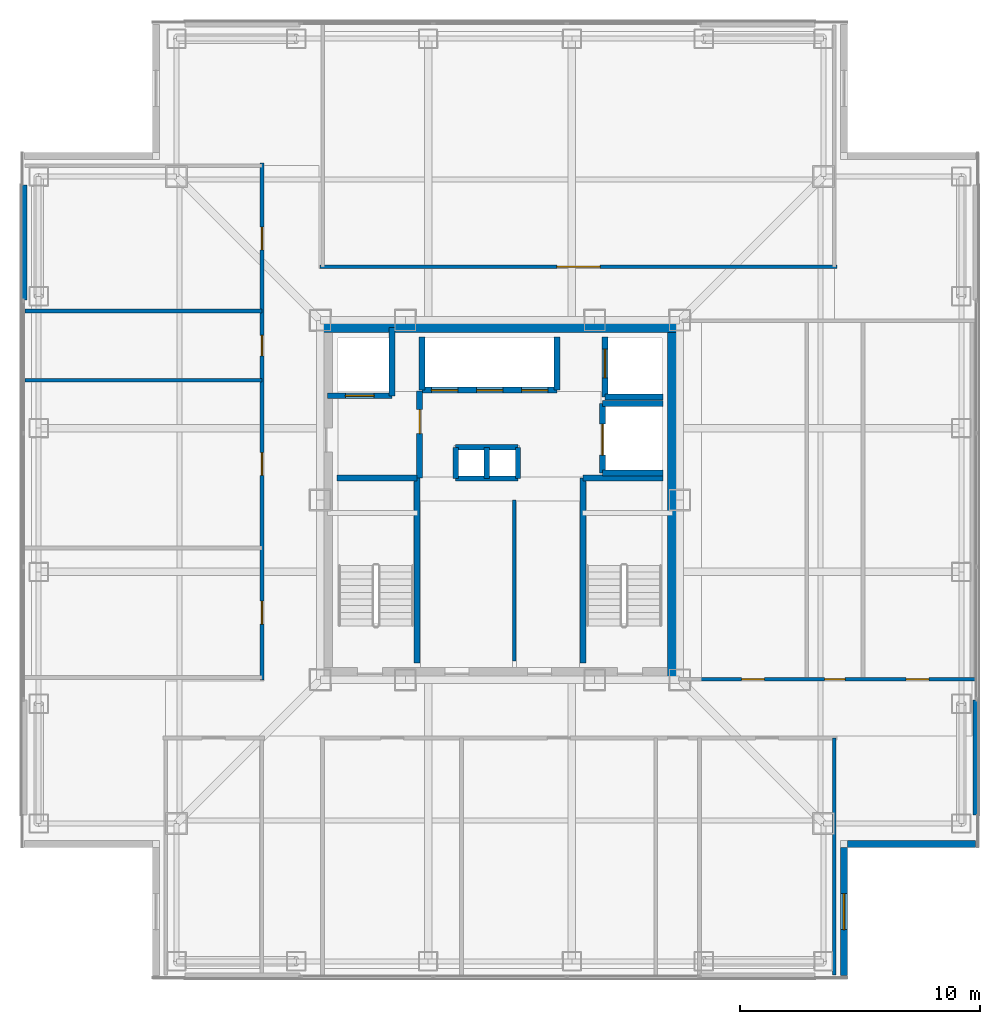
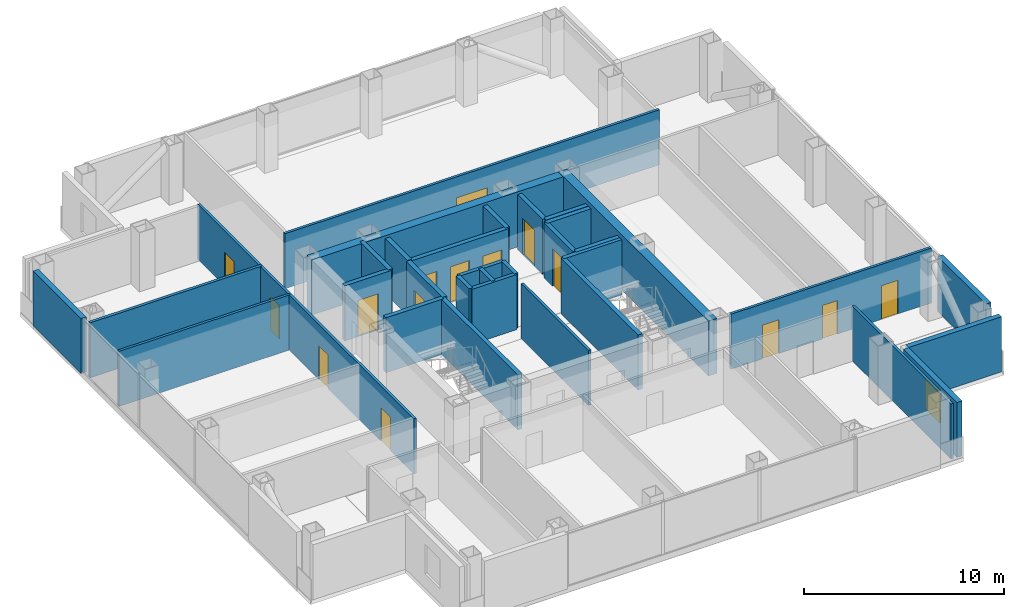
# One storey, part 10 of 17: 33 walls, 15 doors, 1 window, 16 openings.
"""IFC4 building model written with IfcOpenShell, lengths in metres."""

from ifc_helpers import new_model, si_unit, direction, frame, frame_2d, origin, place, context, subcontext, project, spatial, rectangle, extrude, material, layer, layer_set, type_object, element, fill, save


model = new_model("IFC4")

# Units and contexts
model_context = context("Model", 3, precision=1e-05, world=origin(), true_north=direction((0.0, 1.0)))
body_context = subcontext(model_context, "Body", "Model", "MODEL_VIEW")
ifc_project = project(units=[si_unit("LENGTHUNIT", "METRE"), si_unit("AREAUNIT", "SQUARE_METRE"), si_unit("VOLUMEUNIT", "CUBIC_METRE"), si_unit("PLANEANGLEUNIT", "RADIAN"), si_unit("MASSUNIT", "GRAM", prefix="KILO")], contexts=[model_context])

# Site, building, storey
site_placement = place(None, origin())
site = spatial("IfcSite", under=ifc_project, at=site_placement, CompositionType="ELEMENT")
building_placement = place(site_placement, origin())
building = spatial("IfcBuilding", under=site, at=building_placement, Name="Trevonay Congress Spire", CompositionType="ELEMENT")
storey_placement = place(building_placement, frame((0.0, 0.0, 213.0)))
storey = spatial("IfcBuildingStorey", under=building, at=storey_placement, Name="L55", CompositionType="ELEMENT", Elevation=213.0)

# Walls
ifc_material_1 = material(Name="Concrete C50/60", Category="concrete")
ifc_layer_1 = layer(ifc_material_1, 0.5, Name="Concrete C50/60")
ifc_layer_set_1 = layer_set([ifc_layer_1], Name="Concrete C50/60")
wall_type_1 = type_object("IfcWallType", Name="WAL-CORE-500", PredefinedType="SHEAR", material=ifc_layer_set_1)
for number, where, z_axis, x_axis, name in (
    (1, (-7.5, 7.25, 0.0), (0.0, 0.0, 1.0), (1.0, 0.0, 0.0), "L55 North structural core shear wall"),
    (2, (7.25, -7.5, 0.0), (0.0, 0.0, 1.0), (0.0, 1.0, 0.0), "L55 East structural core shear wall"),
):
    element("IfcWall", number, at=place(storey_placement, frame(where, z_axis=z_axis, x_axis=x_axis)), inside=storey, type_object=wall_type_1, Name=name, PredefinedType="SHEAR", context=body_context, shape_type="SweptSolid", body=[
        extrude(rectangle(XDim=15.0, YDim=0.5, at=frame_2d((7.5, 0.0))), origin(), (0.0, 0.0, 1.0), 3.360107421875),
    ])

# Wall, openings, doors
ifc_material_2 = material(Name="Concrete C40/50", Category="concrete")
ifc_layer_2 = layer(ifc_material_2, 0.14990234375, Name="Concrete C40/50")
ifc_layer_set_2 = layer_set([ifc_layer_2], Name="Concrete C40/50")
wall_type_2 = type_object("IfcWallType", Name="WAL-CORR-150", PredefinedType="PARTITIONING", material=ifc_layer_set_2)
wall_1_placement = place(storey_placement, frame((-9.929931640625, -7.52001953125, 0.0), z_axis=(0.0, 0.0, 1.0), x_axis=(0.0, 1.0, 0.0)))
wall_1 = element("IfcWall", 3, at=wall_1_placement, inside=storey, type_object=wall_type_2, Name="L55 interior wall WP-L55NW-COR", PredefinedType="PARTITIONING", context=body_context, shape_type="SweptSolid", body=[
    extrude(rectangle(XDim=21.590087890625, YDim=0.14990234375, at=frame_2d((10.794921875, 0.0))), origin(), (0.0, 0.0, 1.0), 3.360107421875),
])
opening_1_placement = place(wall_1_placement, frame((2.344970703125, 0.0, 0.0)))
opening_1 = element("IfcOpeningElement", 4, at=opening_1_placement, cuts=wall_1, Name="Opening D07", PredefinedType="OPENING", context=body_context, shape_type="SweptSolid", body=[
    extrude(rectangle(XDim=0.949951171875, YDim=2.06005859375, at=frame_2d((0.47509765625, 1.030029296875))), frame((0.0, 0.0849609375, 0.0), z_axis=(0.0, -1.0, 0.0), x_axis=(1.0, 0.0, 0.0)), (0.0, 0.0, 1.0), 0.169921875),
])
opening_2_placement = place(wall_1_placement, frame((8.544921875, 0.0, 0.0)))
opening_2 = element("IfcOpeningElement", 5, at=opening_2_placement, cuts=wall_1, Name="Opening D07", PredefinedType="OPENING", context=body_context, shape_type="SweptSolid", body=[
    extrude(rectangle(XDim=0.949951171875, YDim=2.06005859375, at=frame_2d((0.47509765625, 1.030029296875))), frame((0.0, 0.0849609375, 0.0), z_axis=(0.0, -1.0, 0.0), x_axis=(1.0, 0.0, 0.0)), (0.0, 0.0, 1.0), 0.169921875),
])
opening_3_placement = place(wall_1_placement, frame((13.534912109375, 0.0, 0.0)))
opening_3 = element("IfcOpeningElement", 6, at=opening_3_placement, cuts=wall_1, Name="Opening D10", PredefinedType="OPENING", context=body_context, shape_type="SweptSolid", body=[
    extrude(rectangle(XDim=0.85009765625, YDim=2.050048828125, at=frame_2d((0.425048828125, 1.02490234375))), frame((0.0, 0.0849609375, 0.0), z_axis=(0.0, -1.0, 0.0), x_axis=(1.0, 0.0, 0.0)), (0.0, 0.0, 1.0), 0.169921875),
])
opening_4_placement = place(wall_1_placement, frame((17.9599609375, 0.0, 0.0)))
opening_4 = element("IfcOpeningElement", 7, at=opening_4_placement, cuts=wall_1, Name="Opening D07", PredefinedType="OPENING", context=body_context, shape_type="SweptSolid", body=[
    extrude(rectangle(XDim=0.949951171875, YDim=2.06005859375, at=frame_2d((0.47509765625, 1.030029296875))), frame((0.0, 0.0849609375, 0.0), z_axis=(0.0, -1.0, 0.0), x_axis=(1.0, 0.0, 0.0)), (0.0, 0.0, 1.0), 0.169921875),
])
ifc_material_3 = material(Name="Pale Anodised Aluminium EN AW-6063-T6", Category="aluminium")
door_type_1 = type_object("IfcDoorType", Name="DOR-OFFICE-95", OperationType="NOTDEFINED", PredefinedType="DOOR", material=ifc_material_3)
door_1_placement = place(opening_1_placement, origin())
door_1 = element("IfcDoor", 8, at=door_1_placement, inside=storey, type_object=door_type_1, Name="L55 Client Briefing Room Door", OperationType="SINGLE_SWING_LEFT", OverallHeight=2.06005859375, OverallWidth=0.949951171875, PredefinedType="DOOR", context=body_context, shape_type="SweptSolid", body=[
    extrude(rectangle(XDim=0.949951171875, YDim=2.06005859375, at=frame_2d((0.47509765625, 1.030029296875))), frame((0.0, 0.02490234375, 0.0), z_axis=(0.0, -1.0, 0.0), x_axis=(1.0, 0.0, 0.0)), (0.0, 0.0, 1.0), 0.050048828125),
])
fill(opening_1, door_1)
door_2_placement = place(opening_2_placement, origin())
door_2 = element("IfcDoor", 9, at=door_2_placement, inside=storey, type_object=door_type_1, Name="L55 Investor Relations Office Door", OperationType="SINGLE_SWING_RIGHT", OverallHeight=2.06005859375, OverallWidth=0.949951171875, PredefinedType="DOOR", context=body_context, shape_type="SweptSolid", body=[
    extrude(rectangle(XDim=0.949951171875, YDim=2.06005859375, at=frame_2d((0.47509765625, 1.030029296875))), frame((0.0, 0.02490234375, 0.0), z_axis=(0.0, -1.0, 0.0), x_axis=(1.0, 0.0, 0.0)), (0.0, 0.0, 1.0), 0.050048828125),
])
fill(opening_2, door_2)
door_3_placement = place(opening_4_placement, origin())
door_3 = element("IfcDoor", 10, at=door_3_placement, inside=storey, type_object=door_type_1, Name="L55 Floor Supplies and Copy Room Door", OperationType="SINGLE_SWING_RIGHT", OverallHeight=2.06005859375, OverallWidth=0.949951171875, PredefinedType="DOOR", context=body_context, shape_type="SweptSolid", body=[
    extrude(rectangle(XDim=0.949951171875, YDim=2.06005859375, at=frame_2d((0.47509765625, 1.030029296875))), frame((0.0, 0.02490234375, 0.0), z_axis=(0.0, -1.0, 0.0), x_axis=(1.0, 0.0, 0.0)), (0.0, 0.0, 1.0), 0.050048828125),
])
fill(opening_4, door_3)
door_type_2 = type_object("IfcDoorType", Name="DOR-WC-85", OperationType="NOTDEFINED", PredefinedType="DOOR", material=ifc_material_3)
door_4_placement = place(opening_3_placement, origin())
door_4 = element("IfcDoor", 11, at=door_4_placement, inside=storey, type_object=door_type_2, Name="L55 Male Restroom WC Door", OperationType="SINGLE_SWING_LEFT", OverallHeight=2.050048828125, OverallWidth=0.85009765625, PredefinedType="DOOR", context=body_context, shape_type="SweptSolid", body=[
    extrude(rectangle(XDim=0.85009765625, YDim=2.050048828125, at=frame_2d((0.425048828125, 1.02490234375))), frame((0.0, 0.02490234375, 0.0), z_axis=(0.0, -1.0, 0.0), x_axis=(1.0, 0.0, 0.0)), (0.0, 0.0, 1.0), 0.050048828125),
])
fill(opening_3, door_4)

# Wall, opening, door
wall_2_placement = place(storey_placement, frame((-7.52001953125, 9.72998046875, 0.0), z_axis=(0.0, 0.0, 1.0), x_axis=(1.0, 0.0, 0.0)))
wall_2 = element("IfcWall", 12, at=wall_2_placement, inside=storey, type_object=wall_type_2, Name="L55 interior wall WP-L55N-COR", PredefinedType="PARTITIONING", context=body_context, shape_type="SweptSolid", body=[
    extrude(rectangle(XDim=21.590087890625, YDim=0.14990234375, at=frame_2d((10.794921875, 0.0))), origin(), (0.0, 0.0, 1.0), 3.360107421875),
])
opening_5_placement = place(wall_2_placement, frame((9.89501953125, 0.0, 0.0)))
opening_5 = element("IfcOpeningElement", 13, at=opening_5_placement, cuts=wall_2, Name="Opening D09", PredefinedType="OPENING", context=body_context, shape_type="SweptSolid", body=[
    extrude(rectangle(XDim=1.800048828125, YDim=2.080078125, at=frame_2d((0.89990234375, 1.0400390625))), frame((0.0, 0.0849609375, 0.0), z_axis=(0.0, -1.0, 0.0), x_axis=(1.0, 0.0, 0.0)), (0.0, 0.0, 1.0), 0.169921875),
])
door_type_3 = type_object("IfcDoorType", Name="DOR-CONF-DBL", OperationType="DOUBLE_DOOR_SINGLE_SWING", PredefinedType="DOOR", material=ifc_material_3)
door_5_placement = place(opening_5_placement, origin())
door_5 = element("IfcDoor", 14, at=door_5_placement, inside=storey, type_object=door_type_3, Name="L55 Main Plenary FinTech Auditorium Hall Door", OperationType="DOUBLE_DOOR_SINGLE_SWING", OverallHeight=2.080078125, OverallWidth=1.800048828125, PredefinedType="DOOR", context=body_context, shape_type="SweptSolid", body=[
    extrude(rectangle(XDim=1.800048828125, YDim=2.080078125, at=frame_2d((0.89990234375, 1.0400390625))), frame((0.0, 0.02490234375, 0.0), z_axis=(0.0, -1.0, 0.0), x_axis=(1.0, 0.0, 0.0)), (0.0, 0.0, 1.0), 0.050048828125),
])
fill(opening_5, door_5)

# Wall, openings, doors
wall_3_placement = place(storey_placement, frame((8.280029296875, -7.47998046875, 0.0), z_axis=(0.0, 0.0, 1.0), x_axis=(1.0, 0.0, 0.0)))
wall_3 = element("IfcWall", 15, at=wall_3_placement, inside=storey, type_object=wall_type_2, Name="L55 interior wall WP-L55E-COR", PredefinedType="PARTITIONING", context=body_context, shape_type="SweptSolid", body=[
    extrude(rectangle(XDim=11.5400390625, YDim=0.14990234375, at=frame_2d((5.77001953125, 0.0))), origin(), (0.0, 0.0, 1.0), 3.360107421875),
])
opening_6_placement = place(wall_3_placement, frame((1.804931640625, 0.0, 0.0)))
opening_6 = element("IfcOpeningElement", 16, at=opening_6_placement, cuts=wall_3, Name="Opening D07", PredefinedType="OPENING", context=body_context, shape_type="SweptSolid", body=[
    extrude(rectangle(XDim=0.949951171875, YDim=2.06005859375, at=frame_2d((0.47509765625, 1.030029296875))), frame((0.0, 0.0849609375, 0.0), z_axis=(0.0, -1.0, 0.0), x_axis=(1.0, 0.0, 0.0)), (0.0, 0.0, 1.0), 0.169921875),
])
opening_7_placement = place(wall_3_placement, frame((5.27001953125, 0.0, 0.0)))
opening_7 = element("IfcOpeningElement", 17, at=opening_7_placement, cuts=wall_3, Name="Opening D10", PredefinedType="OPENING", context=body_context, shape_type="SweptSolid", body=[
    extrude(rectangle(XDim=0.85009765625, YDim=2.050048828125, at=frame_2d((0.425048828125, 1.02490234375))), frame((0.0, 0.0849609375, 0.0), z_axis=(0.0, -1.0, 0.0), x_axis=(1.0, 0.0, 0.0)), (0.0, 0.0, 1.0), 0.169921875),
])
opening_8_placement = place(wall_3_placement, frame((8.669921875, 0.0, 0.0)))
opening_8 = element("IfcOpeningElement", 18, at=opening_8_placement, cuts=wall_3, Name="Opening D07", PredefinedType="OPENING", context=body_context, shape_type="SweptSolid", body=[
    extrude(rectangle(XDim=0.949951171875, YDim=2.06005859375, at=frame_2d((0.47509765625, 1.030029296875))), frame((0.0, 0.0849609375, 0.0), z_axis=(0.0, -1.0, 0.0), x_axis=(1.0, 0.0, 0.0)), (0.0, 0.0, 1.0), 0.169921875),
])
door_6_placement = place(opening_6_placement, origin())
door_6 = element("IfcDoor", 19, at=door_6_placement, inside=storey, type_object=door_type_1, Name="L55 Trader Bistro Kitchen Door", OperationType="SINGLE_SWING_LEFT", OverallHeight=2.06005859375, OverallWidth=0.949951171875, PredefinedType="DOOR", context=body_context, shape_type="SweptSolid", body=[
    extrude(rectangle(XDim=0.949951171875, YDim=2.06005859375, at=frame_2d((0.47509765625, 1.030029296875))), frame((0.0, 0.02490234375, 0.0), z_axis=(0.0, -1.0, 0.0), x_axis=(1.0, 0.0, 0.0)), (0.0, 0.0, 1.0), 0.050048828125),
])
fill(opening_6, door_6)
door_7_placement = place(opening_8_placement, origin())
door_7 = element("IfcDoor", 20, at=door_7_placement, inside=storey, type_object=door_type_1, Name="L55 Floor Supplies and Copy Room Door", OperationType="SINGLE_SWING_LEFT", OverallHeight=2.06005859375, OverallWidth=0.949951171875, PredefinedType="DOOR", context=body_context, shape_type="SweptSolid", body=[
    extrude(rectangle(XDim=0.949951171875, YDim=2.06005859375, at=frame_2d((0.47509765625, 1.030029296875))), frame((0.0, 0.02490234375, 0.0), z_axis=(0.0, -1.0, 0.0), x_axis=(1.0, 0.0, 0.0)), (0.0, 0.0, 1.0), 0.050048828125),
])
fill(opening_8, door_7)
door_8_placement = place(opening_7_placement, origin())
door_8 = element("IfcDoor", 21, at=door_8_placement, inside=storey, type_object=door_type_2, Name="L55 Female Restroom WC Door", OperationType="SINGLE_SWING_RIGHT", OverallHeight=2.050048828125, OverallWidth=0.85009765625, PredefinedType="DOOR", context=body_context, shape_type="SweptSolid", body=[
    extrude(rectangle(XDim=0.85009765625, YDim=2.050048828125, at=frame_2d((0.425048828125, 1.02490234375))), frame((0.0, 0.02490234375, 0.0), z_axis=(0.0, -1.0, 0.0), x_axis=(1.0, 0.0, 0.0)), (0.0, 0.0, 1.0), 0.050048828125),
])
fill(opening_7, door_8)

# Walls
ifc_material_4 = material(Name="Precast concrete C40/50", Category="concrete")
ifc_layer_3 = layer(ifc_material_4, 0.300048828125, Name="Precast concrete C40/50")
ifc_layer_set_3 = layer_set([ifc_layer_3], Name="Precast concrete C40/50")
wall_type_3 = type_object("IfcWallType", Name="WAL-EXT-PRECAST-300", PredefinedType="SOLIDWALL", material=ifc_layer_set_3)
for number, where, z_axis, x_axis, name in (
    (22, (-19.8798828125, 8.35009765625, 0.0), (0.0, 0.0, 1.0), (0.0, 1.0, 0.0), "L55 WR braced-bay exterior pier wall"),
    (23, (19.8798828125, -13.14990234375, 0.0), (0.0, 0.0, 1.0), (0.0, 1.0, 0.0), "L55 EL braced-bay exterior pier wall"),
):
    element("IfcWall", number, at=place(storey_placement, frame(where, z_axis=z_axis, x_axis=x_axis)), inside=storey, type_object=wall_type_3, Name=name, PredefinedType="SOLIDWALL", context=body_context, shape_type="SweptSolid", body=[
        extrude(rectangle(XDim=4.7998046875, YDim=0.300048828125, at=frame_2d((2.39990234375, 0.0))), origin(), (0.0, 0.0, 1.0), 3.360107421875),
    ])

# Wall, opening, window
wall_4_placement = place(storey_placement, frame((14.35009765625, -19.85009765625, 0.0), z_axis=(0.0, 0.0, 1.0), x_axis=(0.0, 1.0, 0.0)))
wall_4 = element("IfcWall", 24, at=wall_4_placement, inside=storey, type_object=wall_type_3, Name="L55 SE re-entrant notch exterior wall 1", PredefinedType="SOLIDWALL", context=body_context, shape_type="SweptSolid", body=[
    extrude(rectangle(XDim=5.35009765625, YDim=0.300048828125, at=frame_2d((2.675048828125, 0.0))), origin(), (0.0, 0.0, 1.0), 3.360107421875),
])
opening_9_placement = place(wall_4_placement, frame((1.925048828125, 0.0, 0.89990234375)))
opening_9 = element("IfcOpeningElement", 25, at=opening_9_placement, cuts=wall_4, Name="Opening WN03", PredefinedType="OPENING", context=body_context, shape_type="SweptSolid", body=[
    extrude(rectangle(XDim=1.5, YDim=1.800048828125, at=frame_2d((0.75, 0.89990234375))), frame((0.0, 0.16015625, 0.0), z_axis=(0.0, -1.0, 0.0), x_axis=(1.0, 0.0, 0.0)), (0.0, 0.0, 1.0), 0.320068359375),
])
ifc_material_5 = material(Name="Insulated Low-E Vision Glass IGU", Category="glass")
window_type = type_object("IfcWindowType", Name="WIN-NOTCH-150X180", PartitioningType="SINGLE_PANEL", PredefinedType="WINDOW", material=ifc_material_5)
window_placement = place(opening_9_placement, origin())
window = element("IfcWindow", 26, at=window_placement, inside=storey, type_object=window_type, Name="L55 SE corner notch window", OverallHeight=1.800048828125, OverallWidth=1.5, PartitioningType="SINGLE_PANEL", PredefinedType="WINDOW", context=body_context, shape_type="SweptSolid", body=[
    extrude(rectangle(XDim=1.5, YDim=1.800048828125, at=frame_2d((0.75, 0.89990234375))), frame((0.0, 0.030029296875, 0.0), z_axis=(0.0, -1.0, 0.0), x_axis=(1.0, 0.0, 0.0)), (0.0, 0.0, 1.0), 0.06005859375),
])
fill(opening_9, window)

# Walls
wall_5_placement = place(storey_placement, frame((19.85009765625, -14.35009765625, 0.0), z_axis=(0.0, 0.0, 1.0), x_axis=(-1.0, 0.0, 0.0)))
element("IfcWall", 27, at=wall_5_placement, inside=storey, type_object=wall_type_3, Name="L55 SE re-entrant notch exterior wall 2", PredefinedType="SOLIDWALL", context=body_context, shape_type="SweptSolid", body=[
    extrude(rectangle(XDim=5.35009765625, YDim=0.300048828125, at=frame_2d((2.675048828125, 0.0))), origin(), (0.0, 0.0, 1.0), 3.360107421875),
])
ifc_layer_4 = layer(ifc_material_2, 0.14990234375, Name="Concrete C40/50")
ifc_layer_set_4 = layer_set([ifc_layer_4], Name="Concrete C40/50")
wall_type_4 = type_object("IfcWallType", Name="WAL-PART-150", PredefinedType="PARTITIONING", material=ifc_layer_set_4)
wall_6_placement = place(storey_placement, frame((0.60009765625, -6.719970703125, 0.0), z_axis=(0.0, 0.0, 1.0), x_axis=(0.0, 1.0, 0.0)))
element("IfcWall", 28, at=wall_6_placement, inside=storey, type_object=wall_type_4, Name="L55 interior wall CW-F1V-L55", PredefinedType="PARTITIONING", context=body_context, shape_type="SweptSolid", body=[
    extrude(rectangle(XDim=6.719970703125, YDim=0.14990234375, at=frame_2d((3.35986328125, 0.0))), origin(), (0.0, 0.0, 1.0), 3.360107421875),
])
for number, where, z_axis, x_axis, name in (
    (29, (13.949951171875, -19.820068359375, 0.0), (0.0, 0.0, 1.0), (0.0, 1.0, 0.0), "L55 interior wall WP-L55SE-DIV4"),
    (30, (-19.820068359375, 5.0, 0.0), (0.0, 0.0, 1.0), (1.0, 0.0, 0.0), "L55 interior wall WP-L55NW-DIV3"),
):
    element("IfcWall", number, at=place(storey_placement, frame(where, z_axis=z_axis, x_axis=x_axis)), inside=storey, type_object=wall_type_4, Name=name, PredefinedType="PARTITIONING", context=body_context, shape_type="SweptSolid", body=[
        extrude(rectangle(XDim=9.89013671875, YDim=0.14990234375, at=frame_2d((4.945068359375, 0.0))), origin(), (0.0, 0.0, 1.0), 3.360107421875),
    ])
ifc_layer_5 = layer(ifc_material_2, 0.219970703125, Name="Concrete C40/50")
ifc_layer_set_5 = layer_set([ifc_layer_5], Name="Concrete C40/50")
wall_type_5 = type_object("IfcWallType", Name="WAL-SHAFT-220", PredefinedType="PARTITIONING", material=ifc_layer_set_5)
for number, where, z_axis, x_axis, name in (
    (31, (-1.85009765625, 2.199951171875, 0.0), (0.0, 0.0, 1.0), (1.0, 0.0, 0.0), "L55 interior shaft wall WSH-L55-RSR-N"),
    (32, (-1.85009765625, 0.89990234375, 0.0), (0.0, 0.0, 1.0), (1.0, 0.0, 0.0), "L55 interior shaft wall WSH-L55-RSR-S"),
):
    element("IfcWall", number, at=place(storey_placement, frame(where, z_axis=z_axis, x_axis=x_axis)), inside=storey, type_object=wall_type_5, Name=name, PredefinedType="PARTITIONING", context=body_context, shape_type="SweptSolid", body=[
        extrude(rectangle(XDim=2.60009765625, YDim=0.219970703125, at=frame_2d((1.300048828125, 0.0))), origin(), (0.0, 0.0, 1.0), 3.360107421875),
    ])
for number, where, z_axis, x_axis, name in (
    (33, (-0.550048828125, 0.89990234375, 0.0), (0.0, 0.0, 1.0), (0.0, 1.0, 0.0), "L55 interior shaft wall WSH-L55-RSR-M"),
    (34, (0.75, 0.89990234375, 0.0), (0.0, 0.0, 1.0), (0.0, 1.0, 0.0), "L55 interior shaft wall WSH-L55-RSR-E"),
    (35, (-1.85009765625, 0.89990234375, 0.0), (0.0, 0.0, 1.0), (0.0, 1.0, 0.0), "L55 interior shaft wall WSH-L55-RSR-W"),
):
    element("IfcWall", number, at=place(storey_placement, frame(where, z_axis=z_axis, x_axis=x_axis)), inside=storey, type_object=wall_type_5, Name=name, PredefinedType="PARTITIONING", context=body_context, shape_type="SweptSolid", body=[
        extrude(rectangle(XDim=1.300048828125, YDim=0.219970703125, at=frame_2d((0.64990234375, 0.0))), origin(), (0.0, 0.0, 1.0), 3.360107421875),
    ])

# Wall, openings, doors
ifc_layer_6 = layer(ifc_material_2, 0.25, Name="Concrete C40/50")
ifc_layer_set_6 = layer_set([ifc_layer_6], Name="Concrete C40/50")
wall_type_6 = type_object("IfcWallType", Name="WAL-SHAFT-250", PredefinedType="SHEAR", material=ifc_layer_set_6)
wall_7_placement = place(storey_placement, frame((-3.260009765625, 4.580078125, 0.0), z_axis=(0.0, 0.0, 1.0), x_axis=(1.0, 0.0, 0.0)))
wall_7 = element("IfcWall", 36, at=wall_7_placement, inside=storey, type_object=wall_type_6, Name="L55 interior shaft wall WSH-L55-B3-S", PredefinedType="SHEAR", context=body_context, shape_type="SweptSolid", body=[
    extrude(rectangle(XDim=5.639892578125, YDim=0.25, at=frame_2d((2.81982421875, 0.0))), origin(), (0.0, 0.0, 1.0), 3.360107421875),
])
opening_10_placement = place(wall_7_placement, frame((0.39990234375, 0.0, 0.0)))
opening_10 = element("IfcOpeningElement", 37, at=opening_10_placement, cuts=wall_7, Name="Opening LD03", PredefinedType="OPENING", context=body_context, shape_type="SweptSolid", body=[
    extrude(rectangle(XDim=1.10009765625, YDim=2.199951171875, at=frame_2d((0.550048828125, 1.10009765625))), frame((0.0, 0.135009765625, 0.0), z_axis=(0.0, -1.0, 0.0), x_axis=(1.0, 0.0, 0.0)), (0.0, 0.0, 1.0), 0.27001953125),
])
opening_11_placement = place(wall_7_placement, frame((2.280029296875, 0.0, 0.0)))
opening_11 = element("IfcOpeningElement", 38, at=opening_11_placement, cuts=wall_7, Name="Opening LD03", PredefinedType="OPENING", context=body_context, shape_type="SweptSolid", body=[
    extrude(rectangle(XDim=1.10009765625, YDim=2.199951171875, at=frame_2d((0.550048828125, 1.10009765625))), frame((0.0, 0.135009765625, 0.0), z_axis=(0.0, -1.0, 0.0), x_axis=(1.0, 0.0, 0.0)), (0.0, 0.0, 1.0), 0.27001953125),
])
opening_12_placement = place(wall_7_placement, frame((4.159912109375, 0.0, 0.0)))
opening_12 = element("IfcOpeningElement", 39, at=opening_12_placement, cuts=wall_7, Name="Opening LD03", PredefinedType="OPENING", context=body_context, shape_type="SweptSolid", body=[
    extrude(rectangle(XDim=1.10009765625, YDim=2.199951171875, at=frame_2d((0.550048828125, 1.10009765625))), frame((0.0, 0.135009765625, 0.0), z_axis=(0.0, -1.0, 0.0), x_axis=(1.0, 0.0, 0.0)), (0.0, 0.0, 1.0), 0.27001953125),
])
door_type_4 = type_object("IfcDoorType", Name="DOR-LIFT-LD03", OperationType="DOUBLE_DOOR_SLIDING", PredefinedType="DOOR", material=ifc_material_3)
door_9_placement = place(opening_10_placement, origin())
door_9 = element("IfcDoor", 40, at=door_9_placement, inside=storey, type_object=door_type_4, Name="L55 Passenger lift PL-07 landing door", OperationType="DOUBLE_DOOR_SLIDING", OverallHeight=2.199951171875, OverallWidth=1.10009765625, PredefinedType="DOOR", context=body_context, shape_type="SweptSolid", body=[
    extrude(rectangle(XDim=1.10009765625, YDim=2.199951171875, at=frame_2d((0.550048828125, 1.10009765625))), frame((0.0, 0.02490234375, 0.0), z_axis=(0.0, -1.0, 0.0), x_axis=(1.0, 0.0, 0.0)), (0.0, 0.0, 1.0), 0.050048828125),
])
fill(opening_10, door_9)
door_10_placement = place(opening_11_placement, origin())
door_10 = element("IfcDoor", 41, at=door_10_placement, inside=storey, type_object=door_type_4, Name="L55 Passenger lift PL-08 landing door", OperationType="DOUBLE_DOOR_SLIDING", OverallHeight=2.199951171875, OverallWidth=1.10009765625, PredefinedType="DOOR", context=body_context, shape_type="SweptSolid", body=[
    extrude(rectangle(XDim=1.10009765625, YDim=2.199951171875, at=frame_2d((0.550048828125, 1.10009765625))), frame((0.0, 0.02490234375, 0.0), z_axis=(0.0, -1.0, 0.0), x_axis=(1.0, 0.0, 0.0)), (0.0, 0.0, 1.0), 0.050048828125),
])
fill(opening_11, door_10)
door_11_placement = place(opening_12_placement, origin())
door_11 = element("IfcDoor", 42, at=door_11_placement, inside=storey, type_object=door_type_4, Name="L55 Passenger lift PL-09 landing door", OperationType="DOUBLE_DOOR_SLIDING", OverallHeight=2.199951171875, OverallWidth=1.10009765625, PredefinedType="DOOR", context=body_context, shape_type="SweptSolid", body=[
    extrude(rectangle(XDim=1.10009765625, YDim=2.199951171875, at=frame_2d((0.550048828125, 1.10009765625))), frame((0.0, 0.02490234375, 0.0), z_axis=(0.0, -1.0, 0.0), x_axis=(1.0, 0.0, 0.0)), (0.0, 0.0, 1.0), 0.050048828125),
])
fill(opening_12, door_11)

# Walls
for number, where, z_axis, x_axis, name in (
    (43, (-3.260009765625, 4.580078125, 0.0), (0.0, 0.0, 1.0), (0.0, 1.0, 0.0), "L55 interior shaft wall WSH-L55-B3-W"),
    (44, (2.3798828125, 4.580078125, 0.0), (0.0, 0.0, 1.0), (0.0, 1.0, 0.0), "L55 interior shaft wall WSH-L55-B3-E"),
):
    element("IfcWall", number, at=place(storey_placement, frame(where, z_axis=z_axis, x_axis=x_axis)), inside=storey, type_object=wall_type_6, Name=name, PredefinedType="SHEAR", context=body_context, shape_type="SweptSolid", body=[
        extrude(rectangle(XDim=2.219970703125, YDim=0.25, at=frame_2d((1.10986328125, 0.0))), origin(), (0.0, 0.0, 1.0), 3.360107421875),
    ])

# Wall, opening, door
wall_8_placement = place(storey_placement, frame((-7.199951171875, 4.35009765625, 0.0), z_axis=(0.0, 0.0, 1.0), x_axis=(1.0, 0.0, 0.0)))
wall_8 = element("IfcWall", 45, at=wall_8_placement, inside=storey, type_object=wall_type_6, Name="L55 interior shaft wall WSH-L55-FF1-S", PredefinedType="SHEAR", context=body_context, shape_type="SweptSolid", body=[
    extrude(rectangle(XDim=2.699951171875, YDim=0.25, at=frame_2d((1.35009765625, 0.0))), origin(), (0.0, 0.0, 1.0), 3.360107421875),
])
opening_13_placement = place(wall_8_placement, frame((0.75, 0.0, 0.0)))
opening_13 = element("IfcOpeningElement", 46, at=opening_13_placement, cuts=wall_8, Name="Opening LD04", PredefinedType="OPENING", context=body_context, shape_type="SweptSolid", body=[
    extrude(rectangle(XDim=1.199951171875, YDim=2.199951171875, at=frame_2d((0.60009765625, 1.10009765625))), frame((0.0, 0.135009765625, 0.0), z_axis=(0.0, -1.0, 0.0), x_axis=(1.0, 0.0, 0.0)), (0.0, 0.0, 1.0), 0.27001953125),
])
ifc_material_6 = material(Name="Steel ASTM A572 Grade 50", Category="steel")
door_type_5 = type_object("IfcDoorType", Name="DOR-LIFT-LD04", OperationType="DOUBLE_DOOR_SLIDING", PredefinedType="DOOR", material=ifc_material_6)
door_12_placement = place(opening_13_placement, origin())
door_12 = element("IfcDoor", 47, at=door_12_placement, inside=storey, type_object=door_type_5, Name="L55 Firefighting lift FFL-01 landing door", OperationType="DOUBLE_DOOR_SLIDING", OverallHeight=2.199951171875, OverallWidth=1.199951171875, PredefinedType="DOOR", context=body_context, shape_type="SweptSolid", body=[
    extrude(rectangle(XDim=1.199951171875, YDim=2.199951171875, at=frame_2d((0.60009765625, 1.10009765625))), frame((0.0, 0.02490234375, 0.0), z_axis=(0.0, -1.0, 0.0), x_axis=(1.0, 0.0, 0.0)), (0.0, 0.0, 1.0), 0.050048828125),
])
fill(opening_13, door_12)

# Walls
wall_9_placement = place(storey_placement, frame((-4.5, 4.35009765625, 0.0), z_axis=(0.0, 0.0, 1.0), x_axis=(0.0, 1.0, 0.0)))
element("IfcWall", 48, at=wall_9_placement, inside=storey, type_object=wall_type_6, Name="L55 interior shaft wall WSH-L55-FF1-E", PredefinedType="SHEAR", context=body_context, shape_type="SweptSolid", body=[
    extrude(rectangle(XDim=2.849853515625, YDim=0.25, at=frame_2d((1.4248046875, 0.0))), origin(), (0.0, 0.0, 1.0), 3.360107421875),
])
wall_10_placement = place(storey_placement, frame((4.3798828125, 4.300048828125, 0.0), z_axis=(0.0, 0.0, 1.0), x_axis=(1.0, 0.0, 0.0)))
element("IfcWall", 49, at=wall_10_placement, inside=storey, type_object=wall_type_6, Name="L55 interior shaft wall WSH-L55-FF2-S", PredefinedType="SHEAR", context=body_context, shape_type="SweptSolid", body=[
    extrude(rectangle(XDim=2.420166015625, YDim=0.25, at=frame_2d((1.2099609375, 0.0))), origin(), (0.0, 0.0, 1.0), 3.360107421875),
])

# Wall, opening, door
wall_11_placement = place(storey_placement, frame((4.3798828125, 4.300048828125, 0.0), z_axis=(0.0, 0.0, 1.0), x_axis=(0.0, 1.0, 0.0)))
wall_11 = element("IfcWall", 50, at=wall_11_placement, inside=storey, type_object=wall_type_6, Name="L55 interior shaft wall WSH-L55-FF2-W", PredefinedType="SHEAR", context=body_context, shape_type="SweptSolid", body=[
    extrude(rectangle(XDim=2.5, YDim=0.25, at=frame_2d((1.25, 0.0))), origin(), (0.0, 0.0, 1.0), 3.360107421875),
])
opening_14_placement = place(wall_11_placement, frame((0.800048828125, 0.0, 0.0)))
opening_14 = element("IfcOpeningElement", 51, at=opening_14_placement, cuts=wall_11, Name="Opening LD04", PredefinedType="OPENING", context=body_context, shape_type="SweptSolid", body=[
    extrude(rectangle(XDim=1.199951171875, YDim=2.199951171875, at=frame_2d((0.60009765625, 1.10009765625))), frame((0.0, 0.135009765625, 0.0), z_axis=(0.0, -1.0, 0.0), x_axis=(1.0, 0.0, 0.0)), (0.0, 0.0, 1.0), 0.27001953125),
])
door_13_placement = place(opening_14_placement, origin())
door_13 = element("IfcDoor", 52, at=door_13_placement, inside=storey, type_object=door_type_5, Name="L55 Firefighting lift FFL-02 landing door", OperationType="DOUBLE_DOOR_SLIDING", OverallHeight=2.199951171875, OverallWidth=1.199951171875, PredefinedType="DOOR", context=body_context, shape_type="SweptSolid", body=[
    extrude(rectangle(XDim=1.199951171875, YDim=2.199951171875, at=frame_2d((0.60009765625, 1.10009765625))), frame((0.0, 0.02490234375, 0.0), z_axis=(0.0, -1.0, 0.0), x_axis=(1.0, 0.0, 0.0)), (0.0, 0.0, 1.0), 0.050048828125),
])
fill(opening_14, door_13)

wall_12_placement = place(storey_placement, frame((4.280029296875, 1.1201171875, 0.0), z_axis=(0.0, 0.0, 1.0), x_axis=(0.0, 1.0, 0.0)))
wall_12 = element("IfcWall", 53, at=wall_12_placement, inside=storey, type_object=wall_type_6, Name="L55 interior shaft wall WSH-L55-SV-W", PredefinedType="SHEAR", context=body_context, shape_type="SweptSolid", body=[
    extrude(rectangle(XDim=2.89990234375, YDim=0.25, at=frame_2d((1.449951171875, 0.0))), origin(), (0.0, 0.0, 1.0), 3.360107421875),
])
opening_15_placement = place(wall_12_placement, frame((0.75, 0.0, 0.0)))
opening_15 = element("IfcOpeningElement", 54, at=opening_15_placement, cuts=wall_12, Name="Opening LD05", PredefinedType="OPENING", context=body_context, shape_type="SweptSolid", body=[
    extrude(rectangle(XDim=1.300048828125, YDim=2.300048828125, at=frame_2d((0.64990234375, 1.14990234375))), frame((0.0, 0.135009765625, 0.0), z_axis=(0.0, -1.0, 0.0), x_axis=(1.0, 0.0, 0.0)), (0.0, 0.0, 1.0), 0.27001953125),
])
door_type_6 = type_object("IfcDoorType", Name="DOR-LIFT-LD05", OperationType="DOUBLE_DOOR_SLIDING", PredefinedType="DOOR", material=ifc_material_6)
door_14_placement = place(opening_15_placement, origin())
door_14 = element("IfcDoor", 55, at=door_14_placement, inside=storey, type_object=door_type_6, Name="L55 Goods lift SVL-01 landing door", OperationType="DOUBLE_DOOR_SLIDING", OverallHeight=2.300048828125, OverallWidth=1.300048828125, PredefinedType="DOOR", context=body_context, shape_type="SweptSolid", body=[
    extrude(rectangle(XDim=1.300048828125, YDim=2.300048828125, at=frame_2d((0.64990234375, 1.14990234375))), frame((0.0, 0.02490234375, 0.0), z_axis=(0.0, -1.0, 0.0), x_axis=(1.0, 0.0, 0.0)), (0.0, 0.0, 1.0), 0.050048828125),
])
fill(opening_15, door_14)

# Walls
for number, where, z_axis, x_axis, name in (
    (56, (4.280029296875, 1.1201171875, 0.0), (0.0, 0.0, 1.0), (1.0, 0.0, 0.0), "L55 interior shaft wall WSH-L55-SV-S"),
    (57, (4.280029296875, 4.02001953125, 0.0), (0.0, 0.0, 1.0), (1.0, 0.0, 0.0), "L55 interior shaft wall WSH-L55-SV-N"),
):
    element("IfcWall", number, at=place(storey_placement, frame(where, z_axis=z_axis, x_axis=x_axis)), inside=storey, type_object=wall_type_6, Name=name, PredefinedType="SHEAR", context=body_context, shape_type="SweptSolid", body=[
        extrude(rectangle(XDim=2.52001953125, YDim=0.25, at=frame_2d((1.260009765625, 0.0))), origin(), (0.0, 0.0, 1.0), 3.360107421875),
    ])

# Wall, opening, door
wall_13_placement = place(storey_placement, frame((-3.35009765625, 0.919921875, 0.0), z_axis=(0.0, 0.0, 1.0), x_axis=(0.0, 1.0, 0.0)))
wall_13 = element("IfcWall", 58, at=wall_13_placement, inside=storey, type_object=wall_type_6, Name="L55 interior wall CW-FFLW-E-L55", PredefinedType="SHEAR", context=body_context, shape_type="SweptSolid", body=[
    extrude(rectangle(XDim=3.6201171875, YDim=0.25, at=frame_2d((1.81005859375, 0.0))), origin(), (0.0, 0.0, 1.0), 3.360107421875),
])
opening_16_placement = place(wall_13_placement, frame((1.85009765625, 0.0, 0.0)))
opening_16 = element("IfcOpeningElement", 59, at=opening_16_placement, cuts=wall_13, Name="Opening D06", PredefinedType="OPENING", context=body_context, shape_type="SweptSolid", body=[
    extrude(rectangle(XDim=1.0, YDim=2.080078125, at=frame_2d((0.5, 1.0400390625))), frame((0.0, 0.135009765625, 0.0), z_axis=(0.0, -1.0, 0.0), x_axis=(1.0, 0.0, 0.0)), (0.0, 0.0, 1.0), 0.27001953125),
])
door_type_7 = type_object("IfcDoorType", Name="DOR-FIRE-100", OperationType="NOTDEFINED", PredefinedType="DOOR", material=ifc_material_6)
door_15_placement = place(opening_16_placement, origin())
door_15 = element("IfcDoor", 60, at=door_15_placement, inside=storey, type_object=door_type_7, Name="L55 Firefighting Core Lobby Transfer Door", OperationType="SINGLE_SWING_LEFT", OverallHeight=2.080078125, OverallWidth=1.0, PredefinedType="DOOR", context=body_context, shape_type="SweptSolid", body=[
    extrude(rectangle(XDim=1.0, YDim=2.080078125, at=frame_2d((0.5, 1.0400390625))), frame((0.0, 0.02490234375, 0.0), z_axis=(0.0, -1.0, 0.0), x_axis=(1.0, 0.0, 0.0)), (0.0, 0.0, 1.0), 0.050048828125),
])
fill(opening_16, door_15)

# Walls
ifc_layer_7 = layer(ifc_material_2, 0.25, Name="Concrete C40/50")
ifc_layer_set_7 = layer_set([ifc_layer_7], Name="Concrete C40/50")
wall_type_7 = type_object("IfcWallType", Name="WAL-SHAFT-LB-250", PredefinedType="SHEAR", material=ifc_layer_set_7)
wall_14_placement = place(storey_placement, frame((-3.469970703125, -6.800048828125, 0.0), z_axis=(0.0, 0.0, 1.0), x_axis=(0.0, 1.0, 0.0)))
element("IfcWall", 61, at=wall_14_placement, inside=storey, type_object=wall_type_7, Name="L55 interior shaft wall WSH-L55-ST1-E", PredefinedType="SHEAR", context=body_context, shape_type="SweptSolid", body=[
    extrude(rectangle(XDim=7.719970703125, YDim=0.25, at=frame_2d((3.85986328125, 0.0))), origin(), (0.0, 0.0, 1.0), 3.360107421875),
])
wall_15_placement = place(storey_placement, frame((-6.800048828125, 0.919921875, 0.0), z_axis=(0.0, 0.0, 1.0), x_axis=(1.0, 0.0, 0.0)))
element("IfcWall", 62, at=wall_15_placement, inside=storey, type_object=wall_type_7, Name="L55 interior shaft wall WSH-L55-ST1-N", PredefinedType="SHEAR", context=body_context, shape_type="SweptSolid", body=[
    extrude(rectangle(XDim=3.330078125, YDim=0.25, at=frame_2d((1.6650390625, 0.0))), origin(), (0.0, 0.0, 1.0), 3.360107421875),
])
wall_16_placement = place(storey_placement, frame((3.469970703125, -6.800048828125, 0.0), z_axis=(0.0, 0.0, 1.0), x_axis=(0.0, 1.0, 0.0)))
element("IfcWall", 63, at=wall_16_placement, inside=storey, type_object=wall_type_7, Name="L55 interior shaft wall WSH-L55-ST2-W", PredefinedType="SHEAR", context=body_context, shape_type="SweptSolid", body=[
    extrude(rectangle(XDim=7.719970703125, YDim=0.25, at=frame_2d((3.85986328125, 0.0))), origin(), (0.0, 0.0, 1.0), 3.360107421875),
])
wall_17_placement = place(storey_placement, frame((3.469970703125, 0.919921875, 0.0), z_axis=(0.0, 0.0, 1.0), x_axis=(1.0, 0.0, 0.0)))
element("IfcWall", 64, at=wall_17_placement, inside=storey, type_object=wall_type_7, Name="L55 interior shaft wall WSH-L55-ST2-N", PredefinedType="SHEAR", context=body_context, shape_type="SweptSolid", body=[
    extrude(rectangle(XDim=3.330078125, YDim=0.25, at=frame_2d((1.6650390625, 0.0))), origin(), (0.0, 0.0, 1.0), 3.360107421875),
])
ifc_layer_8 = layer(ifc_material_2, 0.1650390625, Name="Concrete C40/50")
ifc_layer_set_8 = layer_set([ifc_layer_8], Name="Concrete C40/50")
wall_type_8 = type_object("IfcWallType", Name="WAL-WET-165", PredefinedType="PLUMBINGWALL", material=ifc_layer_set_8)
wall_18_placement = place(storey_placement, frame((-19.820068359375, 7.8798828125, 0.0), z_axis=(0.0, 0.0, 1.0), x_axis=(1.0, 0.0, 0.0)))
element("IfcWall", 65, at=wall_18_placement, inside=storey, type_object=wall_type_8, Name="L55 interior wall WP-L55NW-WCS3", PredefinedType="PLUMBINGWALL", context=body_context, shape_type="SweptSolid", body=[
    extrude(rectangle(XDim=9.89013671875, YDim=0.1650390625, at=frame_2d((4.945068359375, 0.0))), origin(), (0.0, 0.0, 1.0), 3.360107421875),
])

save(model, "model.ifc")
